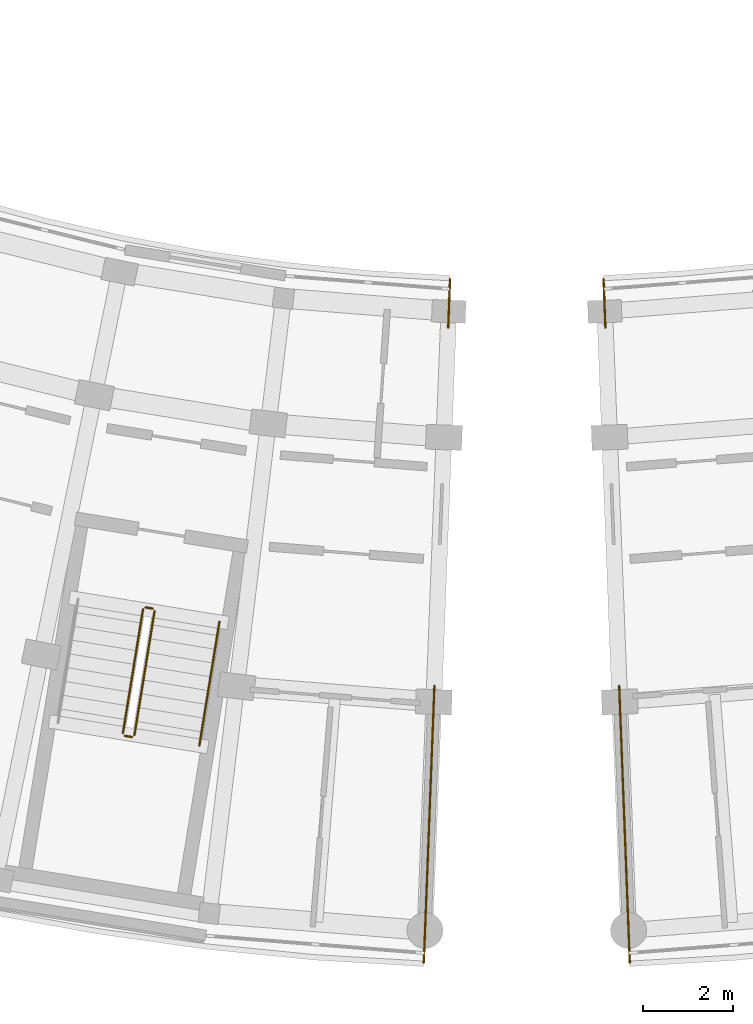
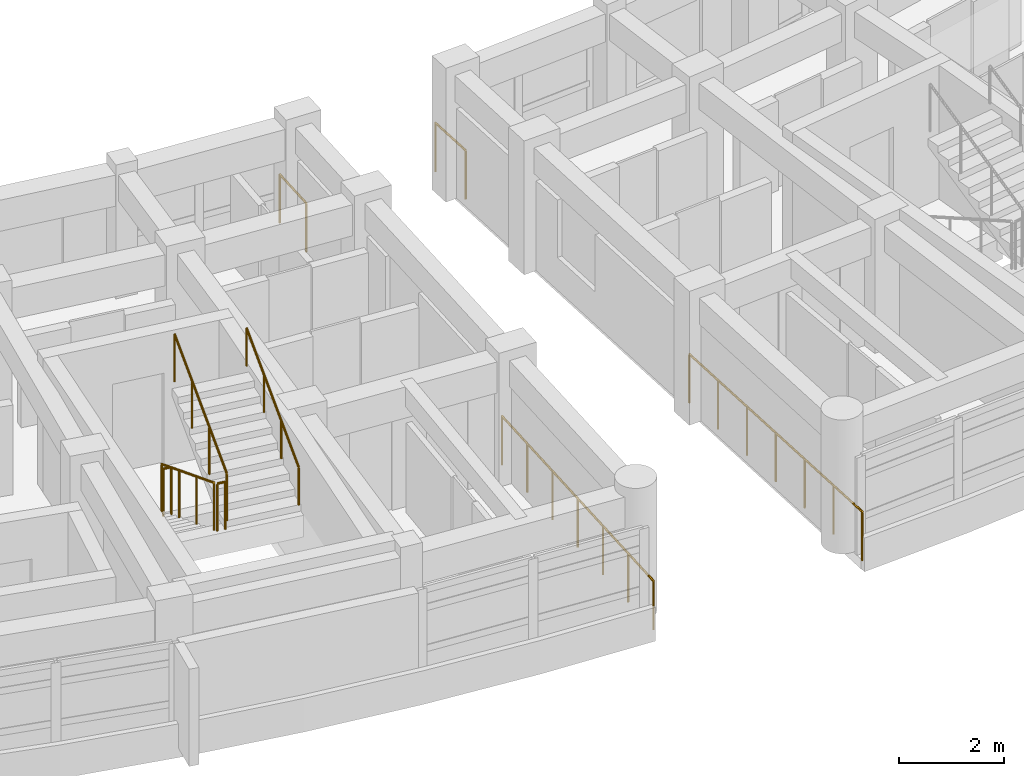
# One storey, part 48 of 55: 9 railings.
"""IFC4 building model written with IfcOpenShell, lengths in metres."""

from ifc_helpers import new_model, si_unit, direction, frame, origin, origin_2d, place, context, subcontext, project, spatial, circle, extrude, material, type_object, element, save


model = new_model("IFC4")

# Units and contexts
model_context = context("Model", 3, precision=1e-05, world=origin(), true_north=direction((0.0, 1.0)))
body_context = subcontext(model_context, "Body", "Model", "MODEL_VIEW")
ifc_project = project(units=[si_unit("LENGTHUNIT", "METRE"), si_unit("AREAUNIT", "SQUARE_METRE"), si_unit("VOLUMEUNIT", "CUBIC_METRE"), si_unit("PLANEANGLEUNIT", "RADIAN"), si_unit("MASSUNIT", "GRAM", prefix="KILO")], contexts=[model_context])

# Site, building, storey
site_placement = place(None, origin())
site = spatial("IfcSite", under=ifc_project, at=site_placement, CompositionType="ELEMENT")
building_placement = place(site_placement, origin())
building = spatial("IfcBuilding", under=site, at=building_placement, Name="Zimvara Arc Housing Community", CompositionType="ELEMENT")
storey_placement = place(building_placement, frame((0.0, 0.0, 14.300048828125)))
storey = spatial("IfcBuildingStorey", under=building, at=storey_placement, Name="L04", CompositionType="ELEMENT", Elevation=14.300048828125)

# Railings
ifc_material_1 = material(Name="Anodised Aluminium AW-6063", Category="aluminium")
railing_type_1 = type_object("IfcRailingType", Name="RLG-BAL-1120", PredefinedType="BALUSTRADE", material=ifc_material_1)
railing_1_placement = place(storey_placement, frame((117.455810546875, 58.15771484375, 0.155029296875)))
element("IfcRailing", 1, at=railing_1_placement, inside=storey, type_object=railing_type_1, Name="L04 ST-C2 stair guard 1", PredefinedType="BALUSTRADE", context=body_context, shape_type="SweptSolid", body=[
    extrude(circle(Radius=0.02392578125, at=origin_2d()), frame((0.0, 0.0, 1.09619140625), z_axis=(-0.14330919097, -0.882866015369, 0.447224859204), x_axis=(0.987080428045, -0.160225555297, 0.0)), (0.0, 0.0, 1.0), 3.119384765625),
    extrude(circle(Radius=0.02099609375, at=origin_2d()), origin(), (0.0, 0.0, 1.0), 1.072021484375),
    extrude(circle(Radius=0.02099609375, at=origin_2d()), frame((-0.14892578125, -0.91796875, 0.465087890625)), (0.0, 0.0, 1.0), 1.072021484375),
    extrude(circle(Radius=0.02099609375, at=origin_2d()), frame((-0.298095703125, -1.8359375, 0.929931640625)), (0.0, 0.0, 1.0), 1.072021484375),
    extrude(circle(Radius=0.02099609375, at=origin_2d()), frame((-0.447021484375, -2.75390625, 1.39501953125)), (0.0, 0.0, 1.0), 1.072021484375),
])
railing_2_placement = place(storey_placement, frame((117.050048828125, 55.346435546875, 1.550048828125)))
element("IfcRailing", 2, at=railing_2_placement, inside=storey, type_object=railing_type_1, Name="L04 ST-C2 stair guard 2", PredefinedType="BALUSTRADE", context=body_context, shape_type="SweptSolid", body=[
    extrude(circle(Radius=0.02392578125, at=origin_2d()), frame((0.0, 0.0, 1.09619140625), z_axis=(0.987085924886, -0.160191687964, 0.0), x_axis=(0.160191687964, 0.987085924886, 0.0)), (0.0, 0.0, 1.0), 0.159912109375),
    extrude(circle(Radius=0.02099609375, at=origin_2d()), origin(), (0.0, 0.0, 1.0), 1.072021484375),
    extrude(circle(Radius=0.02099609375, at=origin_2d()), frame((0.157958984375, -0.025634765625, 0.0)), (0.0, 0.0, 1.0), 1.072021484375),
])
railing_3_placement = place(storey_placement, frame((117.265380859375, 55.3623046875, 1.704833984375)))
element("IfcRailing", 3, at=railing_3_placement, inside=storey, type_object=railing_type_1, Name="L04 ST-C2 stair guard 3", PredefinedType="BALUSTRADE", context=body_context, shape_type="SweptSolid", body=[
    extrude(circle(Radius=0.02392578125, at=origin_2d()), frame((0.0, 0.0, 1.09619140625), z_axis=(0.14330919097, 0.882866015369, 0.447224859204), x_axis=(-0.987080428045, 0.160225555297, 0.0)), (0.0, 0.0, 1.0), 3.119384765625),
    extrude(circle(Radius=0.02099609375, at=origin_2d()), origin(), (0.0, 0.0, 1.0), 1.072021484375),
    extrude(circle(Radius=0.02099609375, at=origin_2d()), frame((0.14892578125, 0.91796875, 0.465087890625)), (0.0, 0.0, 1.0), 1.072021484375),
    extrude(circle(Radius=0.02099609375, at=origin_2d()), frame((0.298095703125, 1.8359375, 0.929931640625)), (0.0, 0.0, 1.0), 1.072021484375),
    extrude(circle(Radius=0.02099609375, at=origin_2d()), frame((0.447021484375, 2.75390625, 1.39501953125)), (0.0, 0.0, 1.0), 1.072021484375),
])
railing_4_placement = place(storey_placement, frame((117.51318359375, 58.19921875, 0.0)))
element("IfcRailing", 4, at=railing_4_placement, inside=storey, type_object=railing_type_1, Name="L04 ST-C2 stair guard 4", PredefinedType="BALUSTRADE", context=body_context, shape_type="SweptSolid", body=[
    extrude(circle(Radius=0.02392578125, at=origin_2d()), frame((0.0, 0.0, 1.09619140625), z_axis=(0.987085924886, -0.160191687964, 0.0), x_axis=(0.160191687964, 0.987085924886, 0.0)), (0.0, 0.0, 1.0), 0.159912109375),
    extrude(circle(Radius=0.02099609375, at=origin_2d()), origin(), (0.0, 0.0, 1.0), 1.072021484375),
    extrude(circle(Radius=0.02099609375, at=origin_2d()), frame((0.157958984375, -0.025634765625, 0.0)), (0.0, 0.0, 1.0), 1.072021484375),
])
ifc_material_2 = material(Name="Anodised Aluminium AW-6063", Category="aluminium")
railing_type_2 = type_object("IfcRailingType", Name="RLG-BAL-1150", PredefinedType="BALUSTRADE", material=ifc_material_2)
railing_5_placement = place(storey_placement, frame((124.275634765625, 65.49267578125, 0.0)))
element("IfcRailing", 5, at=railing_5_placement, inside=storey, type_object=railing_type_2, Name="rlg:blkC:L04:gable_in:gN", PredefinedType="BALUSTRADE", context=body_context, shape_type="SweptSolid", body=[
    extrude(circle(Radius=0.02392578125, at=origin_2d()), frame((0.0, 0.0, 1.1259765625), z_axis=(-0.038433122101, -0.999261174631, 0.0), x_axis=(0.999261174631, -0.038433122101, 0.0)), (0.0, 0.0, 1.0), 1.079833984375),
    extrude(circle(Radius=0.02099609375, at=origin_2d()), origin(), (0.0, 0.0, 1.0), 1.101806640625),
    extrude(circle(Radius=0.02099609375, at=origin_2d()), frame((-0.04150390625, -1.0791015625, 0.0)), (0.0, 0.0, 1.0), 1.101806640625),
])
railing_6_placement = place(storey_placement, frame((123.928466796875, 56.45947265625, 0.0)))
element("IfcRailing", 6, at=railing_6_placement, inside=storey, type_object=railing_type_2, Name="rlg:blkC:L04:gable_out:gN", PredefinedType="BALUSTRADE", context=body_context, shape_type="SweptSolid", body=[
    extrude(circle(Radius=0.02392578125, at=origin_2d()), frame((0.0, 0.0, 1.1259765625), z_axis=(-0.038364627964, -0.99926380667, 0.0), x_axis=(0.99926380667, -0.038364627964, 0.0)), (0.0, 0.0, 1.0), 6.16015625),
    extrude(circle(Radius=0.02099609375, at=origin_2d()), origin(), (0.0, 0.0, 1.0), 1.101806640625),
    extrude(circle(Radius=0.02099609375, at=origin_2d()), frame((-0.039306640625, -1.02587890625, 0.0)), (0.0, 0.0, 1.0), 1.101806640625),
    extrude(circle(Radius=0.02099609375, at=origin_2d()), frame((-0.078857421875, -2.0517578125, 0.0)), (0.0, 0.0, 1.0), 1.101806640625),
    extrude(circle(Radius=0.02099609375, at=origin_2d()), frame((-0.1181640625, -3.07763671875, 0.0)), (0.0, 0.0, 1.0), 1.101806640625),
    extrude(circle(Radius=0.02099609375, at=origin_2d()), frame((-0.157470703125, -4.103759765625, 0.0)), (0.0, 0.0, 1.0), 1.101806640625),
    extrude(circle(Radius=0.02099609375, at=origin_2d()), frame((-0.197021484375, -5.129638671875, 0.0)), (0.0, 0.0, 1.0), 1.101806640625),
    extrude(circle(Radius=0.02099609375, at=origin_2d()), frame((-0.236328125, -6.155517578125, 0.0)), (0.0, 0.0, 1.0), 1.101806640625),
])
railing_7_placement = place(storey_placement, frame((127.684326171875, 65.49267578125, 0.0)))
element("IfcRailing", 7, at=railing_7_placement, inside=storey, type_object=railing_type_2, Name="rlg:blkD:L04:gable_in:g0", PredefinedType="BALUSTRADE", context=body_context, shape_type="SweptSolid", body=[
    extrude(circle(Radius=0.02392578125, at=origin_2d()), frame((0.0, 0.0, 1.1259765625), z_axis=(0.038433122101, -0.999261174631, 0.0), x_axis=(0.999261174631, 0.038433122101, 0.0)), (0.0, 0.0, 1.0), 1.079833984375),
    extrude(circle(Radius=0.02099609375, at=origin_2d()), origin(), (0.0, 0.0, 1.0), 1.101806640625),
    extrude(circle(Radius=0.02099609375, at=origin_2d()), frame((0.04150390625, -1.0791015625, 0.0)), (0.0, 0.0, 1.0), 1.101806640625),
])
railing_8_placement = place(storey_placement, frame((128.031494140625, 56.45947265625, 0.0)))
element("IfcRailing", 8, at=railing_8_placement, inside=storey, type_object=railing_type_2, Name="rlg:blkD:L04:gable_out:g0", PredefinedType="BALUSTRADE", context=body_context, shape_type="SweptSolid", body=[
    extrude(circle(Radius=0.02392578125, at=origin_2d()), frame((0.0, 0.0, 1.1259765625), z_axis=(0.038364627964, -0.99926380667, 0.0), x_axis=(0.99926380667, 0.038364627964, 0.0)), (0.0, 0.0, 1.0), 6.16015625),
    extrude(circle(Radius=0.02099609375, at=origin_2d()), origin(), (0.0, 0.0, 1.0), 1.101806640625),
    extrude(circle(Radius=0.02099609375, at=origin_2d()), frame((0.039306640625, -1.02587890625, 0.0)), (0.0, 0.0, 1.0), 1.101806640625),
    extrude(circle(Radius=0.02099609375, at=origin_2d()), frame((0.078857421875, -2.0517578125, 0.0)), (0.0, 0.0, 1.0), 1.101806640625),
    extrude(circle(Radius=0.02099609375, at=origin_2d()), frame((0.1181640625, -3.07763671875, 0.0)), (0.0, 0.0, 1.0), 1.101806640625),
    extrude(circle(Radius=0.02099609375, at=origin_2d()), frame((0.157470703125, -4.103759765625, 0.0)), (0.0, 0.0, 1.0), 1.101806640625),
    extrude(circle(Radius=0.02099609375, at=origin_2d()), frame((0.197021484375, -5.129638671875, 0.0)), (0.0, 0.0, 1.0), 1.101806640625),
    extrude(circle(Radius=0.02099609375, at=origin_2d()), frame((0.236328125, -6.155517578125, 0.0)), (0.0, 0.0, 1.0), 1.101806640625),
])
ifc_material_3 = material(Name="Anodised Aluminium AW-6063", Category="aluminium")
railing_type_3 = type_object("IfcRailingType", Name="RLG-HND-900", PredefinedType="HANDRAIL", material=ifc_material_3)
railing_9_placement = place(storey_placement, frame((118.70654296875, 55.128173828125, 1.704833984375)))
element("IfcRailing", 9, at=railing_9_placement, inside=storey, type_object=railing_type_3, Name="L04 ST-C2 stair handrail 2", PredefinedType="HANDRAIL", context=body_context, shape_type="SweptSolid", body=[
    extrude(circle(Radius=0.02392578125, at=origin_2d()), frame((0.0, 0.0, 0.8759765625), z_axis=(0.143299288836, 0.882883275458, 0.447193957625), x_axis=(-0.987082674257, 0.160211716742, 0.0)), (0.0, 0.0, 1.0), 3.119384765625),
    extrude(circle(Radius=0.02099609375, at=origin_2d()), origin(), (0.0, 0.0, 1.0), 0.851806640625),
    extrude(circle(Radius=0.02099609375, at=origin_2d()), frame((0.14892578125, 0.91796875, 0.465087890625)), (0.0, 0.0, 1.0), 0.851806640625),
    extrude(circle(Radius=0.02099609375, at=origin_2d()), frame((0.298095703125, 1.836181640625, 0.929931640625)), (0.0, 0.0, 1.0), 0.851806640625),
    extrude(circle(Radius=0.02099609375, at=origin_2d()), frame((0.447021484375, 2.754150390625, 1.39501953125)), (0.0, 0.0, 1.0), 0.851806640625),
])

save(model, "model.ifc")
